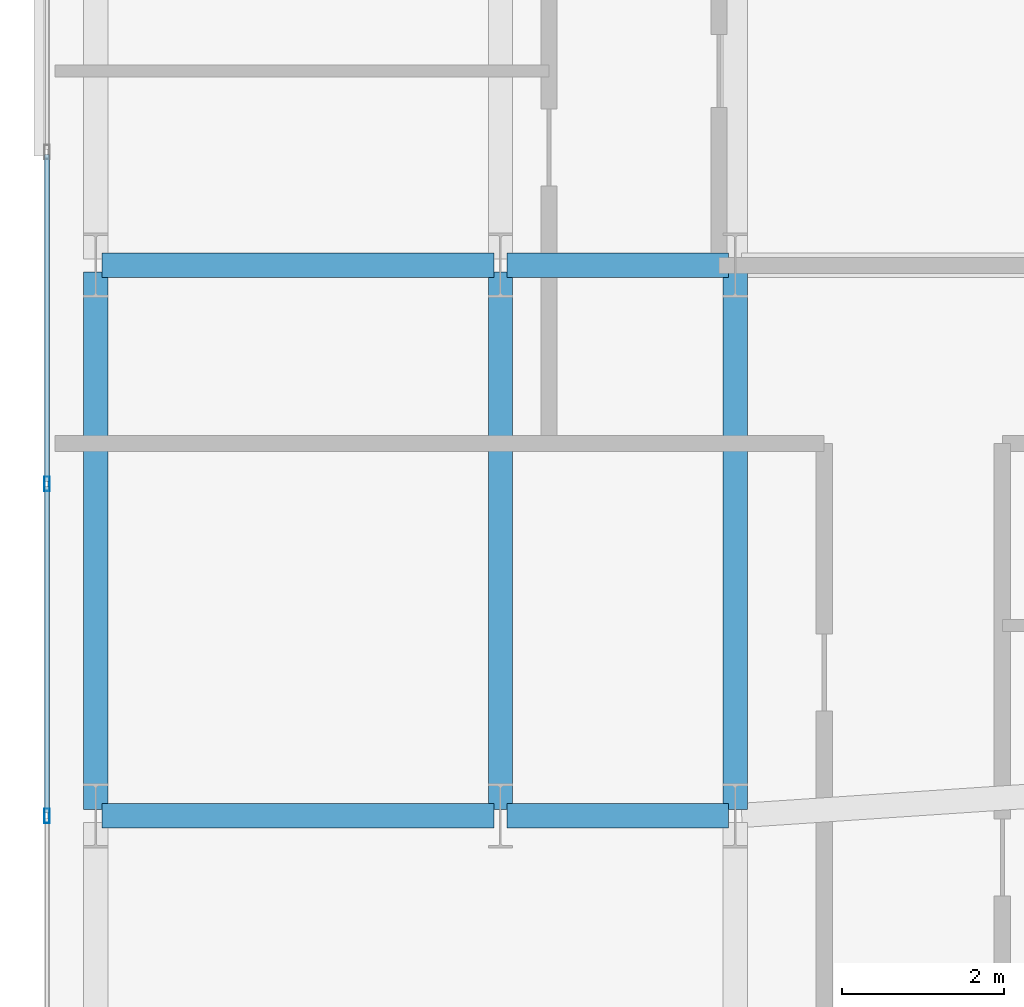
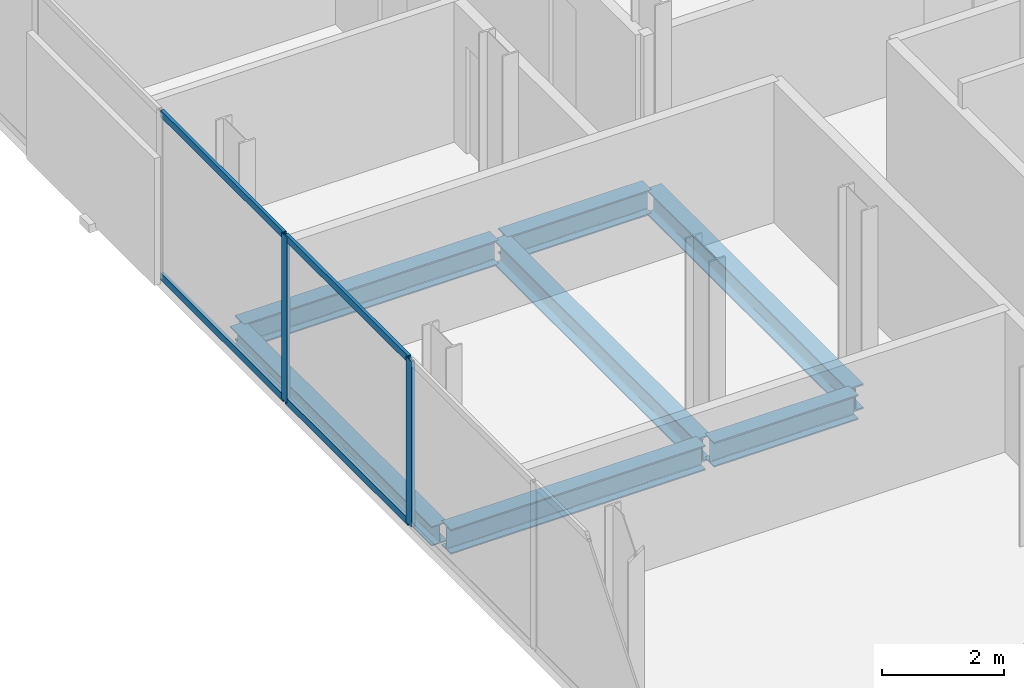
# One storey, part 11 of 33: 7 beams, 6 members, 1 element without a shape of its own.
"""IFC4 building model written with IfcOpenShell, lengths in metres."""

from ifc_helpers import new_model, si_unit, direction, frame, origin, origin_2d, place, context, subcontext, project, spatial, hollow_rectangle, i_section, extrude, material, layer, layer_set, material_profile, profile_set, type_object, element, aggregate, save


model = new_model("IFC4")

# Units and contexts
model_context = context("Model", 3, precision=1e-05, world=origin(), true_north=direction((0.0, 1.0)))
body_context = subcontext(model_context, "Body", "Model", "MODEL_VIEW")
ifc_project = project(units=[si_unit("LENGTHUNIT", "METRE"), si_unit("AREAUNIT", "SQUARE_METRE"), si_unit("VOLUMEUNIT", "CUBIC_METRE"), si_unit("PLANEANGLEUNIT", "RADIAN"), si_unit("MASSUNIT", "GRAM", prefix="KILO")], contexts=[model_context])

# Site, building, storey
site_placement = place(None, origin())
site = spatial("IfcSite", under=ifc_project, at=site_placement, CompositionType="ELEMENT")
building_placement = place(site_placement, origin())
building = spatial("IfcBuilding", under=site, at=building_placement, Name="Catumbela Crestline Tower", CompositionType="ELEMENT")
storey_placement = place(building_placement, frame((0.0, 0.0, 58.2)))
storey = spatial("IfcBuildingStorey", under=building, at=storey_placement, Name="L14", CompositionType="ELEMENT", Elevation=58.2)

# Beams
ifc_material_1 = material(Name="Structural steel S355J2", Category="steel")
ifc_material_profile_1 = material_profile(ifc_material_1, i_section(OverallWidth=0.3, OverallDepth=0.5, WebThickness=0.0145, FlangeThickness=0.028, FilletRadius=0.027, at=origin_2d()), Name="HEB 500")
ifc_profile_set_1 = profile_set([ifc_material_profile_1], Name="Structural steel S355J2")
beam_type_1 = type_object("IfcBeamType", Name="BG-HEB500", PredefinedType="BEAM", material=ifc_profile_set_1)
beam_1_placement = place(storey_placement, frame((0.68, 24.0, -0.51), z_axis=(1.0, 0.0, 0.0), x_axis=(0.0, 1.0, 0.0)))
element("IfcBeam", 1, at=beam_1_placement, inside=storey, type_object=beam_type_1, Name="L14 Beam BM-L14-S01", PredefinedType="BEAM", context=body_context, shape_type="SweptSolid", body=[
    extrude(i_section(OverallWidth=0.3, OverallDepth=0.5, WebThickness=0.0145, FlangeThickness=0.028, FilletRadius=0.027, at=origin_2d()), origin(), (0.0, 0.0, 1.0), 4.84),
])
beam_2_placement = place(storey_placement, frame((5.68, 24.0, -0.51), z_axis=(1.0, 0.0, 0.0), x_axis=(0.0, 1.0, 0.0)))
element("IfcBeam", 2, at=beam_2_placement, inside=storey, type_object=beam_type_1, Name="L14 Beam BM-L14-S02", PredefinedType="BEAM", context=body_context, shape_type="SweptSolid", body=[
    extrude(i_section(OverallWidth=0.3, OverallDepth=0.5, WebThickness=0.0145, FlangeThickness=0.028, FilletRadius=0.027, at=origin_2d()), origin(), (0.0, 0.0, 1.0), 2.74),
])
beam_3_placement = place(storey_placement, frame((0.68, 30.8, -0.51), z_axis=(1.0, 0.0, 0.0), x_axis=(0.0, 1.0, 0.0)))
element("IfcBeam", 3, at=beam_3_placement, inside=storey, type_object=beam_type_1, Name="L14 Beam BM-L14-M07", PredefinedType="BEAM", context=body_context, shape_type="SweptSolid", body=[
    extrude(i_section(OverallWidth=0.3, OverallDepth=0.5, WebThickness=0.0145, FlangeThickness=0.028, FilletRadius=0.027, at=origin_2d()), origin(), (0.0, 0.0, 1.0), 4.84),
])
beam_4_placement = place(storey_placement, frame((5.68, 30.8, -0.51), z_axis=(1.0, 0.0, 0.0), x_axis=(0.0, 1.0, 0.0)))
element("IfcBeam", 4, at=beam_4_placement, inside=storey, type_object=beam_type_1, Name="L14 Beam BM-L14-M08", PredefinedType="BEAM", context=body_context, shape_type="SweptSolid", body=[
    extrude(i_section(OverallWidth=0.3, OverallDepth=0.5, WebThickness=0.0145, FlangeThickness=0.028, FilletRadius=0.027, at=origin_2d()), origin(), (0.0, 0.0, 1.0), 2.74),
])
for number, where, z_axis, x_axis, name in (
    (5, (5.6, 24.08, -0.51), (0.0, 1.0, 0.0), (-1.0, 0.0, 0.0), "L14 Beam BM-L14-SN27"),
    (6, (8.5, 24.08, -0.51), (0.0, 1.0, 0.0), (-1.0, 0.0, 0.0), "L14 Beam BM-L14-SN29"),
):
    element("IfcBeam", number, at=place(storey_placement, frame(where, z_axis=z_axis, x_axis=x_axis)), inside=storey, type_object=beam_type_1, Name=name, PredefinedType="BEAM", context=body_context, shape_type="SweptSolid", body=[
        extrude(i_section(OverallWidth=0.3, OverallDepth=0.5, WebThickness=0.0145, FlangeThickness=0.028, FilletRadius=0.027, at=origin_2d()), origin(), (0.0, 0.0, 1.0), 6.64),
    ])

# Curtain wall, members
ifc_material_2 = material(Name="Aluminium alloy AW-6060-T66", Category="aluminium")
ifc_layer = layer(ifc_material_2, 0.18, Name="Aluminium alloy AW-6060-T66")
ifc_layer_set = layer_set([ifc_layer], Name="Aluminium alloy AW-6060-T66")
curtain_wall_type = type_object("IfcCurtainWallType", Name="CWU-Z1", PredefinedType="USERDEFINED", material=ifc_layer_set)
curtain_wall_placement = place(storey_placement, origin())
curtain_wall = element("IfcCurtainWall", 7, at=curtain_wall_placement, inside=storey, type_object=curtain_wall_type, Name="L14 Unitised Curtain Wall CW-L14-E9S1", ObjectType="UNITISED", PredefinedType="USERDEFINED")
ifc_material_profile_2 = material_profile(ifc_material_2, hollow_rectangle(XDim=0.065, YDim=0.18, WallThickness=0.004, at=origin_2d()), Name="ALU 180x65x4")
ifc_profile_set_2 = profile_set([ifc_material_profile_2], Name="Aluminium alloy AW-6060-T66")
member_type_1 = type_object("IfcMemberType", Name="MUL-180X65", PredefinedType="MULLION", material=ifc_profile_set_2)
member_1_placement = place(storey_placement, frame((0.0, 28.1, 0.0), z_axis=(0.0, 0.0, 1.0), x_axis=(1.0, 0.0, 0.0)))
member_1 = element("IfcMember", 8, at=member_1_placement, type_object=member_type_1, Name="CWU-Z1 mullion 5", PredefinedType="MULLION", context=body_context, shape_type="SweptSolid", body=[
    extrude(hollow_rectangle(XDim=0.065, YDim=0.18, WallThickness=0.004, at=origin_2d()), origin(), (0.0, 0.0, 1.0), 3.33),
])
member_2_placement = place(storey_placement, frame((0.0, 24.0, 0.0), z_axis=(0.0, 0.0, 1.0), x_axis=(1.0, 0.0, 0.0)))
member_2 = element("IfcMember", 9, at=member_2_placement, type_object=member_type_1, Name="CWU-Z1 mullion 6", PredefinedType="MULLION", context=body_context, shape_type="SweptSolid", body=[
    extrude(hollow_rectangle(XDim=0.065, YDim=0.18, WallThickness=0.004, at=origin_2d()), origin(), (0.0, 0.0, 1.0), 3.33),
])

# Beam
ifc_material_profile_3 = material_profile(ifc_material_1, i_section(OverallWidth=0.3, OverallDepth=0.39, WebThickness=0.011, FlangeThickness=0.019, FilletRadius=0.027, at=origin_2d()), Name="HEA 400")
ifc_profile_set_3 = profile_set([ifc_material_profile_3], Name="Structural steel S355J2")
beam_type_2 = type_object("IfcBeamType", Name="BS-HEA400", PredefinedType="SPANDREL", material=ifc_profile_set_3)
beam_5_placement = place(storey_placement, frame((0.6, 24.08, -0.455), z_axis=(0.0, 1.0, 0.0), x_axis=(-1.0, 0.0, 0.0)))
element("IfcBeam", 10, at=beam_5_placement, inside=storey, type_object=beam_type_2, Name="L14 Spandrel SP-L14-SN25", PredefinedType="SPANDREL", context=body_context, shape_type="SweptSolid", body=[
    extrude(i_section(OverallWidth=0.3, OverallDepth=0.39, WebThickness=0.011, FlangeThickness=0.019, FilletRadius=0.027, at=origin_2d()), origin(), (0.0, 0.0, 1.0), 6.64),
])

# Member
ifc_material_profile_4 = material_profile(ifc_material_2, hollow_rectangle(XDim=0.06, YDim=0.14, WallThickness=0.004, at=origin_2d()), Name="ALU 140x60x4")
ifc_profile_set_4 = profile_set([ifc_material_profile_4], Name="Aluminium alloy AW-6060-T66")
member_type_2 = type_object("IfcMemberType", Name="TRN-140X60", PredefinedType="USERDEFINED", material=ifc_profile_set_4)
member_3_placement = place(storey_placement, frame((0.0, 32.1675, 0.03), z_axis=(0.0, -1.0, 0.0), x_axis=(1.0, 0.0, 0.0)))
member_3 = element("IfcMember", 11, at=member_3_placement, type_object=member_type_2, Name="CWU-Z1 transom 4.1", ObjectType="TRANSOM", PredefinedType="USERDEFINED", context=body_context, shape_type="SweptSolid", body=[
    extrude(hollow_rectangle(XDim=0.06, YDim=0.14, WallThickness=0.004, at=origin_2d()), origin(), (0.0, 0.0, 1.0), 4.035),
])

member_4_placement = place(storey_placement, frame((0.0, 32.1675, 3.3), z_axis=(0.0, -1.0, 0.0), x_axis=(1.0, 0.0, 0.0)))
member_4 = element("IfcMember", 12, at=member_4_placement, type_object=member_type_2, Name="CWU-Z1 transom 4.2", ObjectType="TRANSOM", PredefinedType="USERDEFINED", context=body_context, shape_type="SweptSolid", body=[
    extrude(hollow_rectangle(XDim=0.06, YDim=0.14, WallThickness=0.004, at=origin_2d()), origin(), (0.0, 0.0, 1.0), 4.035),
])

member_5_placement = place(storey_placement, frame((0.0, 28.0675, 0.03), z_axis=(0.0, -1.0, 0.0), x_axis=(1.0, 0.0, 0.0)))
member_5 = element("IfcMember", 13, at=member_5_placement, type_object=member_type_2, Name="CWU-Z1 transom 5.1", ObjectType="TRANSOM", PredefinedType="USERDEFINED", context=body_context, shape_type="SweptSolid", body=[
    extrude(hollow_rectangle(XDim=0.06, YDim=0.14, WallThickness=0.004, at=origin_2d()), origin(), (0.0, 0.0, 1.0), 4.035),
])

member_6_placement = place(storey_placement, frame((0.0, 28.0675, 3.3), z_axis=(0.0, -1.0, 0.0), x_axis=(1.0, 0.0, 0.0)))
member_6 = element("IfcMember", 14, at=member_6_placement, type_object=member_type_2, Name="CWU-Z1 transom 5.2", ObjectType="TRANSOM", PredefinedType="USERDEFINED", context=body_context, shape_type="SweptSolid", body=[
    extrude(hollow_rectangle(XDim=0.06, YDim=0.14, WallThickness=0.004, at=origin_2d()), origin(), (0.0, 0.0, 1.0), 4.035),
])

aggregate(curtain_wall, [member_1, member_2, member_3, member_4, member_5, member_6])

save(model, "model.ifc")
